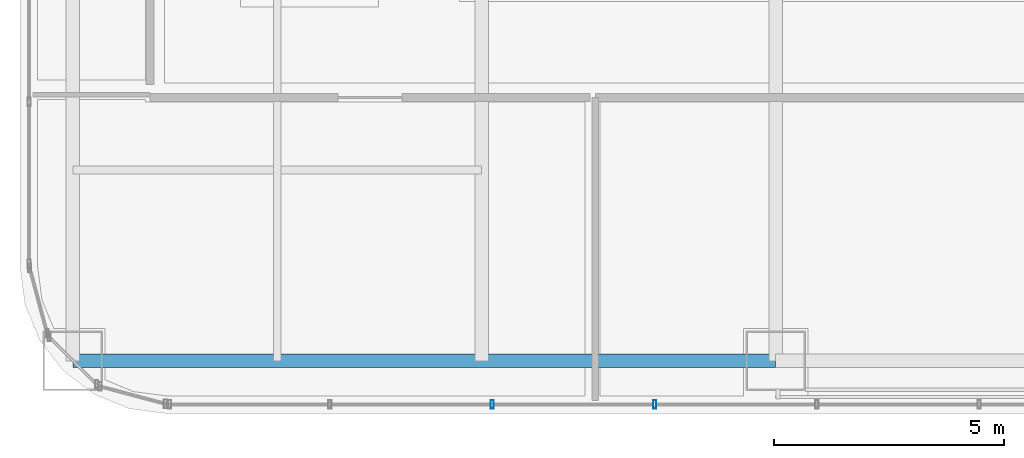
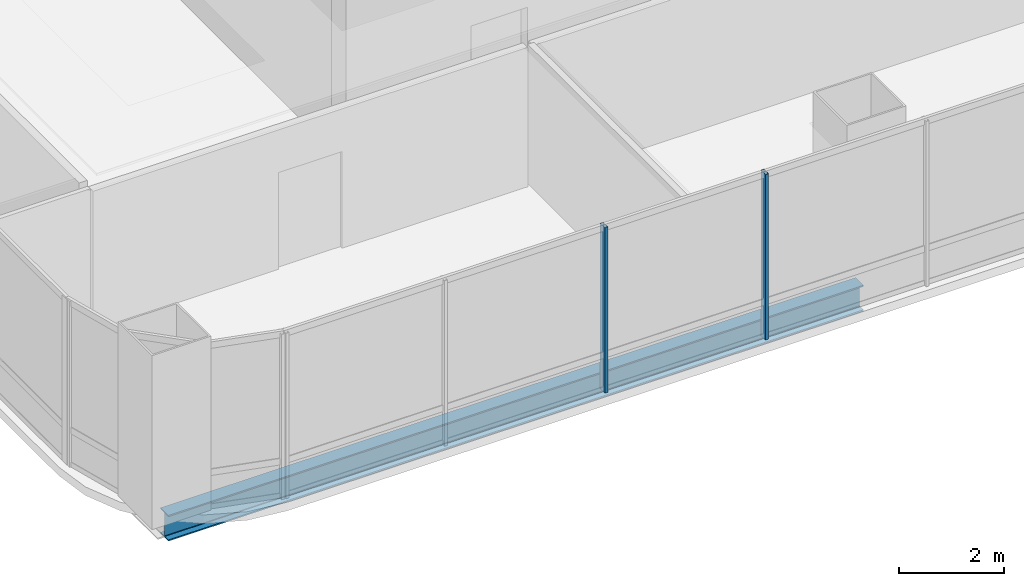
# One storey, part 3 of 42: 2 members, 1 beam, 1 element without a shape of its own.
"""IFC4 building model written with IfcOpenShell, lengths in metres."""

from ifc_helpers import new_model, si_unit, direction, frame, origin, origin_2d, place, context, subcontext, project, spatial, hollow_rectangle, i_section, extrude, material, material_profile, profile_set, type_object, element, aggregate, save


model = new_model("IFC4")

# Units and contexts
model_context = context("Model", 3, precision=1e-05, world=origin(), true_north=direction((0.0, 1.0)))
body_context = subcontext(model_context, "Body", "Model", "MODEL_VIEW")
ifc_project = project(units=[si_unit("LENGTHUNIT", "METRE"), si_unit("AREAUNIT", "SQUARE_METRE"), si_unit("VOLUMEUNIT", "CUBIC_METRE"), si_unit("PLANEANGLEUNIT", "RADIAN"), si_unit("MASSUNIT", "GRAM", prefix="KILO")], contexts=[model_context])

# Site, building, storey
site_placement = place(None, origin())
site = spatial("IfcSite", under=ifc_project, at=site_placement, CompositionType="ELEMENT")
building_placement = place(site_placement, origin())
building = spatial("IfcBuilding", under=site, at=building_placement, Name="Punatoya Terracotta Tower", CompositionType="ELEMENT")
storey_placement = place(building_placement, frame((0.0, 0.0, 263.550048828125)))
storey = spatial("IfcBuildingStorey", under=building, at=storey_placement, Name="L62", CompositionType="ELEMENT", Elevation=263.550048828125)

# Beam
ifc_material_1 = material(Name="Steel S355", Category="steel")
ifc_material_profile_1 = material_profile(ifc_material_1, i_section(OverallWidth=0.300048828125, OverallDepth=0.60009765625, WebThickness=0.015380859375, FlangeThickness=0.030029296875, FilletRadius=0.01806640625, at=origin_2d()))
ifc_profile_set_1 = profile_set([ifc_material_profile_1], Name="Steel S355")
beam_type = type_object("IfcBeamType", Name="BM-PRI-600", PredefinedType="BEAM", material=ifc_profile_set_1)
beam_placement = place(storey_placement, frame((-19.10009765625, -17.5, -0.5), z_axis=(1.0, 0.0, 0.0), x_axis=(0.0, 1.0, 0.0)))
element("IfcBeam", 1, at=beam_placement, inside=storey, type_object=beam_type, Name="BM-L62-RG-S1", PredefinedType="BEAM", context=body_context, shape_type="SweptSolid", body=[
    extrude(i_section(OverallWidth=0.300048828125, OverallDepth=0.60009765625, WebThickness=0.015380859375, FlangeThickness=0.030029296875, FilletRadius=0.01806640625, at=origin_2d()), origin(), (0.0, 0.0, 1.0), 15.300048828125),
])

# Curtain wall, members
ifc_material_2 = material(Name="Aluminium 6063-T6 + Double Low-E Glass", Category="aluminium")
curtain_wall_type = type_object("IfcCurtainWallType", Name="CW-M3", PredefinedType="NOTDEFINED", material=ifc_material_2)
curtain_wall_placement = place(storey_placement, origin())
curtain_wall = element("IfcCurtainWall", 2, at=curtain_wall_placement, inside=storey, type_object=curtain_wall_type, Name="L62 Curtain Wall CW-L62-S01-1", PredefinedType="NOTDEFINED")
ifc_material_3 = material(Name="Aluminium 6063-T6", Category="aluminium")
ifc_material_profile_2 = material_profile(ifc_material_3, hollow_rectangle(XDim=0.070068359375, YDim=0.179931640625, WallThickness=0.00390625, at=origin_2d()))
ifc_profile_set_2 = profile_set([ifc_material_profile_2], Name="Aluminium 6063-T6")
member_type = type_object("IfcMemberType", Name="CW-MUL-M3", PredefinedType="MULLION", material=ifc_profile_set_2)
member_1_placement = place(storey_placement, frame((-9.968994140625, -18.449951171875, 0.0), z_axis=(0.0, 0.0, 1.0), x_axis=(1.0, 0.0, 0.0)))
member_1 = element("IfcMember", 3, at=member_1_placement, type_object=member_type, Name="CW-L62-S01-1 Mullion 02", PredefinedType="MULLION", context=body_context, shape_type="SweptSolid", body=[
    extrude(hollow_rectangle(XDim=0.070068359375, YDim=0.179931640625, WallThickness=0.00390625, at=origin_2d()), origin(), (0.0, 0.0, 1.0), 3.849853515625),
])
member_2_placement = place(storey_placement, frame((-6.43505859375, -18.449951171875, 0.0), z_axis=(0.0, 0.0, 1.0), x_axis=(1.0, 0.0, 0.0)))
member_2 = element("IfcMember", 4, at=member_2_placement, type_object=member_type, Name="CW-L62-S01-1 Mullion 03", PredefinedType="MULLION", context=body_context, shape_type="SweptSolid", body=[
    extrude(hollow_rectangle(XDim=0.070068359375, YDim=0.179931640625, WallThickness=0.00390625, at=origin_2d()), origin(), (0.0, 0.0, 1.0), 3.849853515625),
])
aggregate(curtain_wall, [member_1, member_2])

save(model, "model.ifc")
